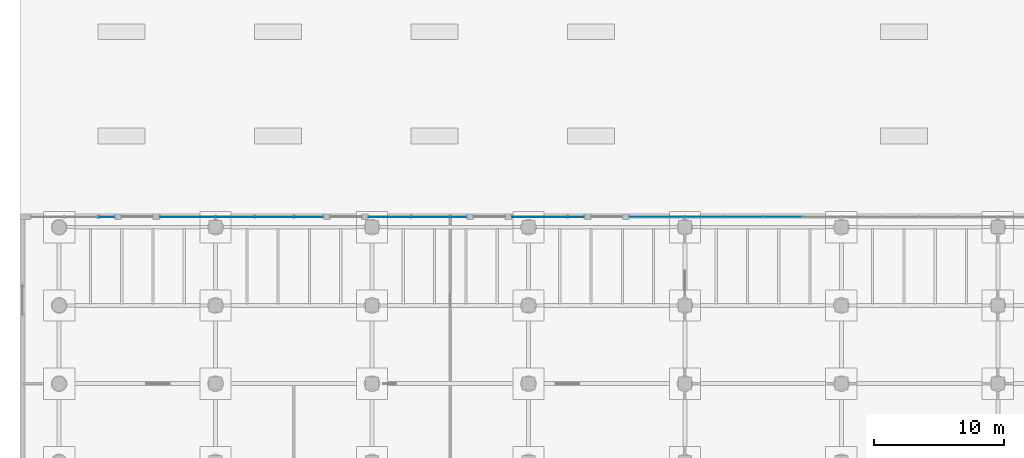
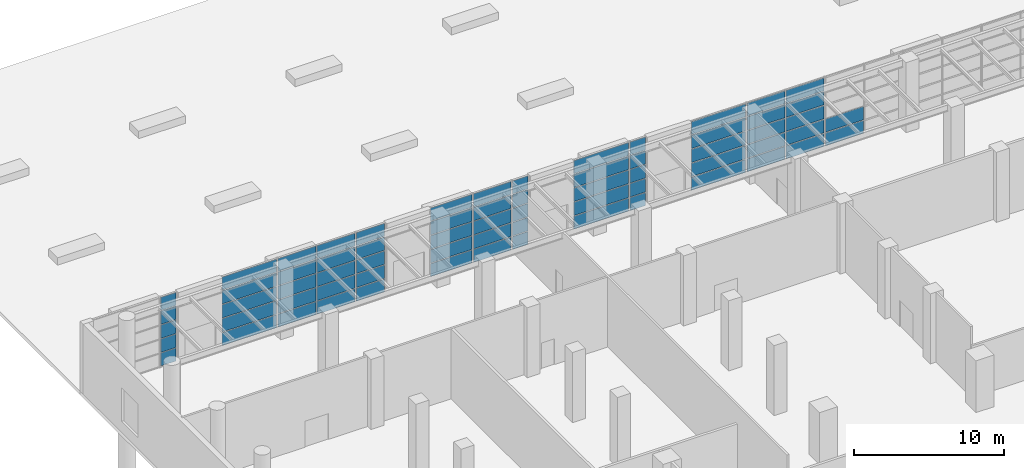
# One storey, part 9 of 27: 67 plates, 12 elements without a shape of their own.
"""IFC4 building model written with IfcOpenShell, lengths in metres."""

from ifc_helpers import new_model, si_unit, direction, frame, origin, origin_2d, place, context, subcontext, project, spatial, rectangle, extrude, material, layer, layer_set, type_object, element, aggregate, save


model = new_model("IFC4")

# Units and contexts
model_context = context("Model", 3, precision=1e-05, world=origin(), true_north=direction((0.0, 1.0)))
body_context = subcontext(model_context, "Body", "Model", "MODEL_VIEW")
ifc_project = project(units=[si_unit("LENGTHUNIT", "METRE"), si_unit("AREAUNIT", "SQUARE_METRE"), si_unit("VOLUMEUNIT", "CUBIC_METRE"), si_unit("PLANEANGLEUNIT", "RADIAN"), si_unit("MASSUNIT", "GRAM", prefix="KILO")], contexts=[model_context])

# Site, building, storey
site_placement = place(None, origin())
site = spatial("IfcSite", under=ifc_project, at=site_placement, CompositionType="ELEMENT")
building_placement = place(site_placement, origin())
building = spatial("IfcBuilding", under=site, at=building_placement, Name="Poui Terraces", CompositionType="ELEMENT")
storey_placement = place(building_placement, origin())
storey = spatial("IfcBuildingStorey", under=building, at=storey_placement, Name="L00", CompositionType="ELEMENT", Elevation=0.0)

# Curtain wall, plates
ifc_material = material(Name="Clear glass", Category="glass")
ifc_layer_1 = layer(ifc_material, 0.199951171875)
ifc_layer_set_1 = layer_set([ifc_layer_1], Name="Clear glass")
curtain_wall_type_1 = type_object("IfcCurtainWallType", Name="CURTAIN WALL CW-A HEALTH CENTRE FRONTAGE", PredefinedType="NOTDEFINED", material=ifc_layer_set_1)
curtain_wall_1_placement = place(storey_placement, origin())
curtain_wall_1 = element("IfcCurtainWall", 1, at=curtain_wall_1_placement, inside=storey, type_object=curtain_wall_type_1, Name="CW-A HEALTH CENTRE FRONTAGE", PredefinedType="NOTDEFINED")
ifc_layer_2 = layer(ifc_material, 0.031982421875)
ifc_layer_set_2 = layer_set([ifc_layer_2], Name="Clear glass")
plate_type_1 = type_object("IfcPlateType", Name="CW-A GLASS PANEL 32", PredefinedType="CURTAIN_PANEL", material=ifc_layer_set_2)
plate_1_placement = place(storey_placement, frame((3.64990234375, 74.800048828125, 0.06005859375), z_axis=(0.0, 0.0, 1.0), x_axis=(-1.0, 0.0, 0.0)))
plate_1 = element("IfcPlate", 2, at=plate_1_placement, type_object=plate_type_1, Name="CW-A panel 1.1", PredefinedType="CURTAIN_PANEL", context=body_context, shape_type="SweptSolid", body=[
    extrude(rectangle(XDim=1.179931640625, YDim=0.031982421875, at=origin_2d()), origin(), (0.0, 0.0, 1.0), 1.0458984375),
])
plate_2_placement = place(storey_placement, frame((3.64990234375, 74.800048828125, 1.166015625), z_axis=(0.0, 0.0, 1.0), x_axis=(-1.0, 0.0, 0.0)))
plate_2 = element("IfcPlate", 3, at=plate_2_placement, type_object=plate_type_1, Name="CW-A panel 1.2", PredefinedType="CURTAIN_PANEL", context=body_context, shape_type="SweptSolid", body=[
    extrude(rectangle(XDim=1.179931640625, YDim=0.031982421875, at=origin_2d()), origin(), (0.0, 0.0, 1.0), 1.075927734375),
])
plate_3_placement = place(storey_placement, frame((3.64990234375, 74.800048828125, 2.30224609375), z_axis=(0.0, 0.0, 1.0), x_axis=(-1.0, 0.0, 0.0)))
plate_3 = element("IfcPlate", 4, at=plate_3_placement, type_object=plate_type_1, Name="CW-A panel 1.3", PredefinedType="CURTAIN_PANEL", context=body_context, shape_type="SweptSolid", body=[
    extrude(rectangle(XDim=1.179931640625, YDim=0.031982421875, at=origin_2d()), origin(), (0.0, 0.0, 1.0), 1.075927734375),
])
plate_4_placement = place(storey_placement, frame((3.64990234375, 74.800048828125, 3.43798828125), z_axis=(0.0, 0.0, 1.0), x_axis=(-1.0, 0.0, 0.0)))
plate_4 = element("IfcPlate", 5, at=plate_4_placement, type_object=plate_type_1, Name="CW-A panel 1.4", PredefinedType="CURTAIN_PANEL", context=body_context, shape_type="SweptSolid", body=[
    extrude(rectangle(XDim=1.179931640625, YDim=0.031982421875, at=origin_2d()), origin(), (0.0, 0.0, 1.0), 1.075927734375),
])
plate_5_placement = place(storey_placement, frame((3.64990234375, 74.800048828125, 4.573974609375), z_axis=(0.0, 0.0, 1.0), x_axis=(-1.0, 0.0, 0.0)))
plate_5 = element("IfcPlate", 6, at=plate_5_placement, type_object=plate_type_1, Name="CW-A panel 1.5", PredefinedType="CURTAIN_PANEL", context=body_context, shape_type="SweptSolid", body=[
    extrude(rectangle(XDim=1.179931640625, YDim=0.031982421875, at=origin_2d()), origin(), (0.0, 0.0, 1.0), 1.0458984375),
])
aggregate(curtain_wall_1, [plate_1, plate_2, plate_3, plate_4, plate_5])

curtain_wall_2_placement = place(storey_placement, origin())
curtain_wall_2 = element("IfcCurtainWall", 7, at=curtain_wall_2_placement, inside=storey, type_object=curtain_wall_type_1, Name="CW-A HEALTH CENTRE FRONTAGE", PredefinedType="NOTDEFINED")
plate_6_placement = place(storey_placement, frame((9.85009765625, 74.800048828125, 0.06005859375), z_axis=(0.0, 0.0, 1.0), x_axis=(-1.0, 0.0, 0.0)))
plate_6 = element("IfcPlate", 8, at=plate_6_placement, type_object=plate_type_1, Name="CW-A panel 1.1", PredefinedType="CURTAIN_PANEL", context=body_context, shape_type="SweptSolid", body=[
    extrude(rectangle(XDim=4.179931640625, YDim=0.031982421875, at=origin_2d()), origin(), (0.0, 0.0, 1.0), 1.0458984375),
])
plate_7_placement = place(storey_placement, frame((9.85009765625, 74.800048828125, 1.166015625), z_axis=(0.0, 0.0, 1.0), x_axis=(-1.0, 0.0, 0.0)))
plate_7 = element("IfcPlate", 9, at=plate_7_placement, type_object=plate_type_1, Name="CW-A panel 1.2", PredefinedType="CURTAIN_PANEL", context=body_context, shape_type="SweptSolid", body=[
    extrude(rectangle(XDim=4.179931640625, YDim=0.031982421875, at=origin_2d()), origin(), (0.0, 0.0, 1.0), 1.075927734375),
])
plate_8_placement = place(storey_placement, frame((9.85009765625, 74.800048828125, 2.30224609375), z_axis=(0.0, 0.0, 1.0), x_axis=(-1.0, 0.0, 0.0)))
plate_8 = element("IfcPlate", 10, at=plate_8_placement, type_object=plate_type_1, Name="CW-A panel 1.3", PredefinedType="CURTAIN_PANEL", context=body_context, shape_type="SweptSolid", body=[
    extrude(rectangle(XDim=4.179931640625, YDim=0.031982421875, at=origin_2d()), origin(), (0.0, 0.0, 1.0), 1.075927734375),
])
plate_9_placement = place(storey_placement, frame((9.85009765625, 74.800048828125, 3.43798828125), z_axis=(0.0, 0.0, 1.0), x_axis=(-1.0, 0.0, 0.0)))
plate_9 = element("IfcPlate", 11, at=plate_9_placement, type_object=plate_type_1, Name="CW-A panel 1.4", PredefinedType="CURTAIN_PANEL", context=body_context, shape_type="SweptSolid", body=[
    extrude(rectangle(XDim=4.179931640625, YDim=0.031982421875, at=origin_2d()), origin(), (0.0, 0.0, 1.0), 1.075927734375),
])
plate_10_placement = place(storey_placement, frame((9.85009765625, 74.800048828125, 4.573974609375), z_axis=(0.0, 0.0, 1.0), x_axis=(-1.0, 0.0, 0.0)))
plate_10 = element("IfcPlate", 12, at=plate_10_placement, type_object=plate_type_1, Name="CW-A panel 1.5", PredefinedType="CURTAIN_PANEL", context=body_context, shape_type="SweptSolid", body=[
    extrude(rectangle(XDim=4.179931640625, YDim=0.031982421875, at=origin_2d()), origin(), (0.0, 0.0, 1.0), 1.0458984375),
])
aggregate(curtain_wall_2, [plate_6, plate_7, plate_8, plate_9, plate_10])

curtain_wall_3_placement = place(storey_placement, origin())
curtain_wall_3 = element("IfcCurtainWall", 13, at=curtain_wall_3_placement, inside=storey, type_object=curtain_wall_type_1, Name="CW-A HEALTH CENTRE FRONTAGE", PredefinedType="NOTDEFINED")
plate_11_placement = place(storey_placement, frame((16.485107421875, 74.800048828125, 0.06005859375), z_axis=(0.0, 0.0, 1.0), x_axis=(-1.0, 0.0, 0.0)))
plate_11 = element("IfcPlate", 14, at=plate_11_placement, type_object=plate_type_1, Name="CW-A panel 1.1", PredefinedType="CURTAIN_PANEL", context=body_context, shape_type="SweptSolid", body=[
    extrude(rectangle(XDim=2.909912109375, YDim=0.031982421875, at=origin_2d()), origin(), (0.0, 0.0, 1.0), 1.0458984375),
])
plate_12_placement = place(storey_placement, frame((16.485107421875, 74.800048828125, 1.166015625), z_axis=(0.0, 0.0, 1.0), x_axis=(-1.0, 0.0, 0.0)))
plate_12 = element("IfcPlate", 15, at=plate_12_placement, type_object=plate_type_1, Name="CW-A panel 1.2", PredefinedType="CURTAIN_PANEL", context=body_context, shape_type="SweptSolid", body=[
    extrude(rectangle(XDim=2.909912109375, YDim=0.031982421875, at=origin_2d()), origin(), (0.0, 0.0, 1.0), 1.075927734375),
])
plate_13_placement = place(storey_placement, frame((16.485107421875, 74.800048828125, 2.30224609375), z_axis=(0.0, 0.0, 1.0), x_axis=(-1.0, 0.0, 0.0)))
plate_13 = element("IfcPlate", 16, at=plate_13_placement, type_object=plate_type_1, Name="CW-A panel 1.3", PredefinedType="CURTAIN_PANEL", context=body_context, shape_type="SweptSolid", body=[
    extrude(rectangle(XDim=2.909912109375, YDim=0.031982421875, at=origin_2d()), origin(), (0.0, 0.0, 1.0), 1.075927734375),
])
plate_14_placement = place(storey_placement, frame((16.485107421875, 74.800048828125, 3.43798828125), z_axis=(0.0, 0.0, 1.0), x_axis=(-1.0, 0.0, 0.0)))
plate_14 = element("IfcPlate", 17, at=plate_14_placement, type_object=plate_type_1, Name="CW-A panel 1.4", PredefinedType="CURTAIN_PANEL", context=body_context, shape_type="SweptSolid", body=[
    extrude(rectangle(XDim=2.909912109375, YDim=0.031982421875, at=origin_2d()), origin(), (0.0, 0.0, 1.0), 1.075927734375),
])
plate_15_placement = place(storey_placement, frame((16.485107421875, 74.800048828125, 4.573974609375), z_axis=(0.0, 0.0, 1.0), x_axis=(-1.0, 0.0, 0.0)))
plate_15 = element("IfcPlate", 18, at=plate_15_placement, type_object=plate_type_1, Name="CW-A panel 1.5", PredefinedType="CURTAIN_PANEL", context=body_context, shape_type="SweptSolid", body=[
    extrude(rectangle(XDim=2.909912109375, YDim=0.031982421875, at=origin_2d()), origin(), (0.0, 0.0, 1.0), 1.0458984375),
])
plate_16_placement = place(storey_placement, frame((13.514892578125, 74.800048828125, 0.06005859375), z_axis=(0.0, 0.0, 1.0), x_axis=(-1.0, 0.0, 0.0)))
plate_16 = element("IfcPlate", 19, at=plate_16_placement, type_object=plate_type_1, Name="CW-A panel 2.1", PredefinedType="CURTAIN_PANEL", context=body_context, shape_type="SweptSolid", body=[
    extrude(rectangle(XDim=2.909912109375, YDim=0.031982421875, at=origin_2d()), origin(), (0.0, 0.0, 1.0), 1.0458984375),
])
plate_17_placement = place(storey_placement, frame((13.514892578125, 74.800048828125, 1.166015625), z_axis=(0.0, 0.0, 1.0), x_axis=(-1.0, 0.0, 0.0)))
plate_17 = element("IfcPlate", 20, at=plate_17_placement, type_object=plate_type_1, Name="CW-A panel 2.2", PredefinedType="CURTAIN_PANEL", context=body_context, shape_type="SweptSolid", body=[
    extrude(rectangle(XDim=2.909912109375, YDim=0.031982421875, at=origin_2d()), origin(), (0.0, 0.0, 1.0), 1.075927734375),
])
plate_18_placement = place(storey_placement, frame((13.514892578125, 74.800048828125, 2.30224609375), z_axis=(0.0, 0.0, 1.0), x_axis=(-1.0, 0.0, 0.0)))
plate_18 = element("IfcPlate", 21, at=plate_18_placement, type_object=plate_type_1, Name="CW-A panel 2.3", PredefinedType="CURTAIN_PANEL", context=body_context, shape_type="SweptSolid", body=[
    extrude(rectangle(XDim=2.909912109375, YDim=0.031982421875, at=origin_2d()), origin(), (0.0, 0.0, 1.0), 1.075927734375),
])
plate_19_placement = place(storey_placement, frame((13.514892578125, 74.800048828125, 3.43798828125), z_axis=(0.0, 0.0, 1.0), x_axis=(-1.0, 0.0, 0.0)))
plate_19 = element("IfcPlate", 22, at=plate_19_placement, type_object=plate_type_1, Name="CW-A panel 2.4", PredefinedType="CURTAIN_PANEL", context=body_context, shape_type="SweptSolid", body=[
    extrude(rectangle(XDim=2.909912109375, YDim=0.031982421875, at=origin_2d()), origin(), (0.0, 0.0, 1.0), 1.075927734375),
])
plate_20_placement = place(storey_placement, frame((13.514892578125, 74.800048828125, 4.573974609375), z_axis=(0.0, 0.0, 1.0), x_axis=(-1.0, 0.0, 0.0)))
plate_20 = element("IfcPlate", 23, at=plate_20_placement, type_object=plate_type_1, Name="CW-A panel 2.5", PredefinedType="CURTAIN_PANEL", context=body_context, shape_type="SweptSolid", body=[
    extrude(rectangle(XDim=2.909912109375, YDim=0.031982421875, at=origin_2d()), origin(), (0.0, 0.0, 1.0), 1.0458984375),
])
aggregate(curtain_wall_3, [plate_11, plate_12, plate_13, plate_14, plate_15, plate_16, plate_17, plate_18, plate_19, plate_20])

curtain_wall_4_placement = place(storey_placement, origin())
curtain_wall_4 = element("IfcCurtainWall", 24, at=curtain_wall_4_placement, inside=storey, type_object=curtain_wall_type_1, Name="CW-A HEALTH CENTRE FRONTAGE", PredefinedType="NOTDEFINED")
plate_21_placement = place(storey_placement, frame((19.14990234375, 74.800048828125, 0.06005859375), z_axis=(0.0, 0.0, 1.0), x_axis=(-1.0, 0.0, 0.0)))
plate_21 = element("IfcPlate", 25, at=plate_21_placement, type_object=plate_type_1, Name="CW-A panel 1.1", PredefinedType="CURTAIN_PANEL", context=body_context, shape_type="SweptSolid", body=[
    extrude(rectangle(XDim=2.179931640625, YDim=0.031982421875, at=origin_2d()), origin(), (0.0, 0.0, 1.0), 1.0458984375),
])
plate_22_placement = place(storey_placement, frame((19.14990234375, 74.800048828125, 1.166015625), z_axis=(0.0, 0.0, 1.0), x_axis=(-1.0, 0.0, 0.0)))
plate_22 = element("IfcPlate", 26, at=plate_22_placement, type_object=plate_type_1, Name="CW-A panel 1.2", PredefinedType="CURTAIN_PANEL", context=body_context, shape_type="SweptSolid", body=[
    extrude(rectangle(XDim=2.179931640625, YDim=0.031982421875, at=origin_2d()), origin(), (0.0, 0.0, 1.0), 1.075927734375),
])
plate_23_placement = place(storey_placement, frame((19.14990234375, 74.800048828125, 2.30224609375), z_axis=(0.0, 0.0, 1.0), x_axis=(-1.0, 0.0, 0.0)))
plate_23 = element("IfcPlate", 27, at=plate_23_placement, type_object=plate_type_1, Name="CW-A panel 1.3", PredefinedType="CURTAIN_PANEL", context=body_context, shape_type="SweptSolid", body=[
    extrude(rectangle(XDim=2.179931640625, YDim=0.031982421875, at=origin_2d()), origin(), (0.0, 0.0, 1.0), 1.075927734375),
])
plate_24_placement = place(storey_placement, frame((19.14990234375, 74.800048828125, 3.43798828125), z_axis=(0.0, 0.0, 1.0), x_axis=(-1.0, 0.0, 0.0)))
plate_24 = element("IfcPlate", 28, at=plate_24_placement, type_object=plate_type_1, Name="CW-A panel 1.4", PredefinedType="CURTAIN_PANEL", context=body_context, shape_type="SweptSolid", body=[
    extrude(rectangle(XDim=2.179931640625, YDim=0.031982421875, at=origin_2d()), origin(), (0.0, 0.0, 1.0), 1.075927734375),
])
plate_25_placement = place(storey_placement, frame((19.14990234375, 74.800048828125, 4.573974609375), z_axis=(0.0, 0.0, 1.0), x_axis=(-1.0, 0.0, 0.0)))
plate_25 = element("IfcPlate", 29, at=plate_25_placement, type_object=plate_type_1, Name="CW-A panel 1.5", PredefinedType="CURTAIN_PANEL", context=body_context, shape_type="SweptSolid", body=[
    extrude(rectangle(XDim=2.179931640625, YDim=0.031982421875, at=origin_2d()), origin(), (0.0, 0.0, 1.0), 1.0458984375),
])
aggregate(curtain_wall_4, [plate_21, plate_22, plate_23, plate_24, plate_25])

curtain_wall_5_placement = place(storey_placement, origin())
curtain_wall_5 = element("IfcCurtainWall", 30, at=curtain_wall_5_placement, inside=storey, type_object=curtain_wall_type_1, Name="CW-A HEALTH CENTRE FRONTAGE", PredefinedType="NOTDEFINED")
plate_26_placement = place(storey_placement, frame((25.35009765625, 74.800048828125, 0.06005859375), z_axis=(0.0, 0.0, 1.0), x_axis=(-1.0, 0.0, 0.0)))
plate_26 = element("IfcPlate", 31, at=plate_26_placement, type_object=plate_type_1, Name="CW-A panel 1.1", PredefinedType="CURTAIN_PANEL", context=body_context, shape_type="SweptSolid", body=[
    extrude(rectangle(XDim=3.179931640625, YDim=0.031982421875, at=origin_2d()), origin(), (0.0, 0.0, 1.0), 1.0458984375),
])
plate_27_placement = place(storey_placement, frame((25.35009765625, 74.800048828125, 1.166015625), z_axis=(0.0, 0.0, 1.0), x_axis=(-1.0, 0.0, 0.0)))
plate_27 = element("IfcPlate", 32, at=plate_27_placement, type_object=plate_type_1, Name="CW-A panel 1.2", PredefinedType="CURTAIN_PANEL", context=body_context, shape_type="SweptSolid", body=[
    extrude(rectangle(XDim=3.179931640625, YDim=0.031982421875, at=origin_2d()), origin(), (0.0, 0.0, 1.0), 1.075927734375),
])
plate_28_placement = place(storey_placement, frame((25.35009765625, 74.800048828125, 2.30224609375), z_axis=(0.0, 0.0, 1.0), x_axis=(-1.0, 0.0, 0.0)))
plate_28 = element("IfcPlate", 33, at=plate_28_placement, type_object=plate_type_1, Name="CW-A panel 1.3", PredefinedType="CURTAIN_PANEL", context=body_context, shape_type="SweptSolid", body=[
    extrude(rectangle(XDim=3.179931640625, YDim=0.031982421875, at=origin_2d()), origin(), (0.0, 0.0, 1.0), 1.075927734375),
])
plate_29_placement = place(storey_placement, frame((25.35009765625, 74.800048828125, 3.43798828125), z_axis=(0.0, 0.0, 1.0), x_axis=(-1.0, 0.0, 0.0)))
plate_29 = element("IfcPlate", 34, at=plate_29_placement, type_object=plate_type_1, Name="CW-A panel 1.4", PredefinedType="CURTAIN_PANEL", context=body_context, shape_type="SweptSolid", body=[
    extrude(rectangle(XDim=3.179931640625, YDim=0.031982421875, at=origin_2d()), origin(), (0.0, 0.0, 1.0), 1.075927734375),
])
plate_30_placement = place(storey_placement, frame((25.35009765625, 74.800048828125, 4.573974609375), z_axis=(0.0, 0.0, 1.0), x_axis=(-1.0, 0.0, 0.0)))
plate_30 = element("IfcPlate", 35, at=plate_30_placement, type_object=plate_type_1, Name="CW-A panel 1.5", PredefinedType="CURTAIN_PANEL", context=body_context, shape_type="SweptSolid", body=[
    extrude(rectangle(XDim=3.179931640625, YDim=0.031982421875, at=origin_2d()), origin(), (0.0, 0.0, 1.0), 1.0458984375),
])
aggregate(curtain_wall_5, [plate_26, plate_27, plate_28, plate_29, plate_30])

curtain_wall_6_placement = place(storey_placement, origin())
curtain_wall_6 = element("IfcCurtainWall", 36, at=curtain_wall_6_placement, inside=storey, type_object=curtain_wall_type_1, Name="CW-A HEALTH CENTRE FRONTAGE", PredefinedType="NOTDEFINED")
plate_31_placement = place(storey_placement, frame((28.5, 74.800048828125, 0.06005859375), z_axis=(0.0, 0.0, 1.0), x_axis=(-1.0, 0.0, 0.0)))
plate_31 = element("IfcPlate", 37, at=plate_31_placement, type_object=plate_type_1, Name="CW-A panel 1.1", PredefinedType="CURTAIN_PANEL", context=body_context, shape_type="SweptSolid", body=[
    extrude(rectangle(XDim=2.8798828125, YDim=0.031982421875, at=origin_2d()), origin(), (0.0, 0.0, 1.0), 1.0458984375),
])
plate_32_placement = place(storey_placement, frame((28.5, 74.800048828125, 1.166015625), z_axis=(0.0, 0.0, 1.0), x_axis=(-1.0, 0.0, 0.0)))
plate_32 = element("IfcPlate", 38, at=plate_32_placement, type_object=plate_type_1, Name="CW-A panel 1.2", PredefinedType="CURTAIN_PANEL", context=body_context, shape_type="SweptSolid", body=[
    extrude(rectangle(XDim=2.8798828125, YDim=0.031982421875, at=origin_2d()), origin(), (0.0, 0.0, 1.0), 1.075927734375),
])
plate_33_placement = place(storey_placement, frame((28.5, 74.800048828125, 2.30224609375), z_axis=(0.0, 0.0, 1.0), x_axis=(-1.0, 0.0, 0.0)))
plate_33 = element("IfcPlate", 39, at=plate_33_placement, type_object=plate_type_1, Name="CW-A panel 1.3", PredefinedType="CURTAIN_PANEL", context=body_context, shape_type="SweptSolid", body=[
    extrude(rectangle(XDim=2.8798828125, YDim=0.031982421875, at=origin_2d()), origin(), (0.0, 0.0, 1.0), 1.075927734375),
])
plate_34_placement = place(storey_placement, frame((28.5, 74.800048828125, 3.43798828125), z_axis=(0.0, 0.0, 1.0), x_axis=(-1.0, 0.0, 0.0)))
plate_34 = element("IfcPlate", 40, at=plate_34_placement, type_object=plate_type_1, Name="CW-A panel 1.4", PredefinedType="CURTAIN_PANEL", context=body_context, shape_type="SweptSolid", body=[
    extrude(rectangle(XDim=2.8798828125, YDim=0.031982421875, at=origin_2d()), origin(), (0.0, 0.0, 1.0), 1.075927734375),
])
plate_35_placement = place(storey_placement, frame((28.5, 74.800048828125, 4.573974609375), z_axis=(0.0, 0.0, 1.0), x_axis=(-1.0, 0.0, 0.0)))
plate_35 = element("IfcPlate", 41, at=plate_35_placement, type_object=plate_type_1, Name="CW-A panel 1.5", PredefinedType="CURTAIN_PANEL", context=body_context, shape_type="SweptSolid", body=[
    extrude(rectangle(XDim=2.8798828125, YDim=0.031982421875, at=origin_2d()), origin(), (0.0, 0.0, 1.0), 1.0458984375),
])
aggregate(curtain_wall_6, [plate_31, plate_32, plate_33, plate_34, plate_35])

curtain_wall_7_placement = place(storey_placement, origin())
curtain_wall_7 = element("IfcCurtainWall", 42, at=curtain_wall_7_placement, inside=storey, type_object=curtain_wall_type_1, Name="CW-A HEALTH CENTRE FRONTAGE", PredefinedType="NOTDEFINED")
plate_36_placement = place(storey_placement, frame((30.64990234375, 74.800048828125, 0.06005859375), z_axis=(0.0, 0.0, 1.0), x_axis=(-1.0, 0.0, 0.0)))
plate_36 = element("IfcPlate", 43, at=plate_36_placement, type_object=plate_type_1, Name="CW-A panel 1.1", PredefinedType="CURTAIN_PANEL", context=body_context, shape_type="SweptSolid", body=[
    extrude(rectangle(XDim=1.179931640625, YDim=0.031982421875, at=origin_2d()), origin(), (0.0, 0.0, 1.0), 1.0458984375),
])
plate_37_placement = place(storey_placement, frame((30.64990234375, 74.800048828125, 1.166015625), z_axis=(0.0, 0.0, 1.0), x_axis=(-1.0, 0.0, 0.0)))
plate_37 = element("IfcPlate", 44, at=plate_37_placement, type_object=plate_type_1, Name="CW-A panel 1.2", PredefinedType="CURTAIN_PANEL", context=body_context, shape_type="SweptSolid", body=[
    extrude(rectangle(XDim=1.179931640625, YDim=0.031982421875, at=origin_2d()), origin(), (0.0, 0.0, 1.0), 1.075927734375),
])
plate_38_placement = place(storey_placement, frame((30.64990234375, 74.800048828125, 2.30224609375), z_axis=(0.0, 0.0, 1.0), x_axis=(-1.0, 0.0, 0.0)))
plate_38 = element("IfcPlate", 45, at=plate_38_placement, type_object=plate_type_1, Name="CW-A panel 1.3", PredefinedType="CURTAIN_PANEL", context=body_context, shape_type="SweptSolid", body=[
    extrude(rectangle(XDim=1.179931640625, YDim=0.031982421875, at=origin_2d()), origin(), (0.0, 0.0, 1.0), 1.075927734375),
])
plate_39_placement = place(storey_placement, frame((30.64990234375, 74.800048828125, 3.43798828125), z_axis=(0.0, 0.0, 1.0), x_axis=(-1.0, 0.0, 0.0)))
plate_39 = element("IfcPlate", 46, at=plate_39_placement, type_object=plate_type_1, Name="CW-A panel 1.4", PredefinedType="CURTAIN_PANEL", context=body_context, shape_type="SweptSolid", body=[
    extrude(rectangle(XDim=1.179931640625, YDim=0.031982421875, at=origin_2d()), origin(), (0.0, 0.0, 1.0), 1.075927734375),
])
plate_40_placement = place(storey_placement, frame((30.64990234375, 74.800048828125, 4.573974609375), z_axis=(0.0, 0.0, 1.0), x_axis=(-1.0, 0.0, 0.0)))
plate_40 = element("IfcPlate", 47, at=plate_40_placement, type_object=plate_type_1, Name="CW-A panel 1.5", PredefinedType="CURTAIN_PANEL", context=body_context, shape_type="SweptSolid", body=[
    extrude(rectangle(XDim=1.179931640625, YDim=0.031982421875, at=origin_2d()), origin(), (0.0, 0.0, 1.0), 1.0458984375),
])
aggregate(curtain_wall_7, [plate_36, plate_37, plate_38, plate_39, plate_40])

curtain_wall_8_placement = place(storey_placement, origin())
curtain_wall_8 = element("IfcCurtainWall", 48, at=curtain_wall_8_placement, inside=storey, type_object=curtain_wall_type_1, Name="CW-A HEALTH CENTRE FRONTAGE", PredefinedType="NOTDEFINED")
plate_41_placement = place(storey_placement, frame((36.85009765625, 74.800048828125, 0.06005859375), z_axis=(0.0, 0.0, 1.0), x_axis=(-1.0, 0.0, 0.0)))
plate_41 = element("IfcPlate", 49, at=plate_41_placement, type_object=plate_type_1, Name="CW-A panel 1.1", PredefinedType="CURTAIN_PANEL", context=body_context, shape_type="SweptSolid", body=[
    extrude(rectangle(XDim=4.179931640625, YDim=0.031982421875, at=origin_2d()), origin(), (0.0, 0.0, 1.0), 1.0458984375),
])
plate_42_placement = place(storey_placement, frame((36.85009765625, 74.800048828125, 1.166015625), z_axis=(0.0, 0.0, 1.0), x_axis=(-1.0, 0.0, 0.0)))
plate_42 = element("IfcPlate", 50, at=plate_42_placement, type_object=plate_type_1, Name="CW-A panel 1.2", PredefinedType="CURTAIN_PANEL", context=body_context, shape_type="SweptSolid", body=[
    extrude(rectangle(XDim=4.179931640625, YDim=0.031982421875, at=origin_2d()), origin(), (0.0, 0.0, 1.0), 1.075927734375),
])
plate_43_placement = place(storey_placement, frame((36.85009765625, 74.800048828125, 2.30224609375), z_axis=(0.0, 0.0, 1.0), x_axis=(-1.0, 0.0, 0.0)))
plate_43 = element("IfcPlate", 51, at=plate_43_placement, type_object=plate_type_1, Name="CW-A panel 1.3", PredefinedType="CURTAIN_PANEL", context=body_context, shape_type="SweptSolid", body=[
    extrude(rectangle(XDim=4.179931640625, YDim=0.031982421875, at=origin_2d()), origin(), (0.0, 0.0, 1.0), 1.075927734375),
])
plate_44_placement = place(storey_placement, frame((36.85009765625, 74.800048828125, 3.43798828125), z_axis=(0.0, 0.0, 1.0), x_axis=(-1.0, 0.0, 0.0)))
plate_44 = element("IfcPlate", 52, at=plate_44_placement, type_object=plate_type_1, Name="CW-A panel 1.4", PredefinedType="CURTAIN_PANEL", context=body_context, shape_type="SweptSolid", body=[
    extrude(rectangle(XDim=4.179931640625, YDim=0.031982421875, at=origin_2d()), origin(), (0.0, 0.0, 1.0), 1.075927734375),
])
plate_45_placement = place(storey_placement, frame((36.85009765625, 74.800048828125, 4.573974609375), z_axis=(0.0, 0.0, 1.0), x_axis=(-1.0, 0.0, 0.0)))
plate_45 = element("IfcPlate", 53, at=plate_45_placement, type_object=plate_type_1, Name="CW-A panel 1.5", PredefinedType="CURTAIN_PANEL", context=body_context, shape_type="SweptSolid", body=[
    extrude(rectangle(XDim=4.179931640625, YDim=0.031982421875, at=origin_2d()), origin(), (0.0, 0.0, 1.0), 1.0458984375),
])
aggregate(curtain_wall_8, [plate_41, plate_42, plate_43, plate_44, plate_45])

curtain_wall_9_placement = place(storey_placement, origin())
curtain_wall_9 = element("IfcCurtainWall", 54, at=curtain_wall_9_placement, inside=storey, type_object=curtain_wall_type_1, Name="CW-A HEALTH CENTRE FRONTAGE", PredefinedType="NOTDEFINED")
plate_46_placement = place(storey_placement, frame((39.64990234375, 74.800048828125, 0.06005859375), z_axis=(0.0, 0.0, 1.0), x_axis=(-1.0, 0.0, 0.0)))
plate_46 = element("IfcPlate", 55, at=plate_46_placement, type_object=plate_type_1, Name="CW-A panel 1.1", PredefinedType="CURTAIN_PANEL", context=body_context, shape_type="SweptSolid", body=[
    extrude(rectangle(XDim=1.179931640625, YDim=0.031982421875, at=origin_2d()), origin(), (0.0, 0.0, 1.0), 1.0458984375),
])
plate_47_placement = place(storey_placement, frame((39.64990234375, 74.800048828125, 1.166015625), z_axis=(0.0, 0.0, 1.0), x_axis=(-1.0, 0.0, 0.0)))
plate_47 = element("IfcPlate", 56, at=plate_47_placement, type_object=plate_type_1, Name="CW-A panel 1.2", PredefinedType="CURTAIN_PANEL", context=body_context, shape_type="SweptSolid", body=[
    extrude(rectangle(XDim=1.179931640625, YDim=0.031982421875, at=origin_2d()), origin(), (0.0, 0.0, 1.0), 1.075927734375),
])
plate_48_placement = place(storey_placement, frame((39.64990234375, 74.800048828125, 2.30224609375), z_axis=(0.0, 0.0, 1.0), x_axis=(-1.0, 0.0, 0.0)))
plate_48 = element("IfcPlate", 57, at=plate_48_placement, type_object=plate_type_1, Name="CW-A panel 1.3", PredefinedType="CURTAIN_PANEL", context=body_context, shape_type="SweptSolid", body=[
    extrude(rectangle(XDim=1.179931640625, YDim=0.031982421875, at=origin_2d()), origin(), (0.0, 0.0, 1.0), 1.075927734375),
])
plate_49_placement = place(storey_placement, frame((39.64990234375, 74.800048828125, 3.43798828125), z_axis=(0.0, 0.0, 1.0), x_axis=(-1.0, 0.0, 0.0)))
plate_49 = element("IfcPlate", 58, at=plate_49_placement, type_object=plate_type_1, Name="CW-A panel 1.4", PredefinedType="CURTAIN_PANEL", context=body_context, shape_type="SweptSolid", body=[
    extrude(rectangle(XDim=1.179931640625, YDim=0.031982421875, at=origin_2d()), origin(), (0.0, 0.0, 1.0), 1.075927734375),
])
plate_50_placement = place(storey_placement, frame((39.64990234375, 74.800048828125, 4.573974609375), z_axis=(0.0, 0.0, 1.0), x_axis=(-1.0, 0.0, 0.0)))
plate_50 = element("IfcPlate", 59, at=plate_50_placement, type_object=plate_type_1, Name="CW-A panel 1.5", PredefinedType="CURTAIN_PANEL", context=body_context, shape_type="SweptSolid", body=[
    extrude(rectangle(XDim=1.179931640625, YDim=0.031982421875, at=origin_2d()), origin(), (0.0, 0.0, 1.0), 1.0458984375),
])
aggregate(curtain_wall_9, [plate_46, plate_47, plate_48, plate_49, plate_50])

ifc_layer_3 = layer(ifc_material, 0.179931640625)
ifc_layer_set_3 = layer_set([ifc_layer_3], Name="Clear glass")
curtain_wall_type_2 = type_object("IfcCurtainWallType", Name="CURTAIN WALL CW-B RESIDENT LOBBY GLAZING", PredefinedType="NOTDEFINED", material=ifc_layer_set_3)
curtain_wall_10_placement = place(storey_placement, origin())
curtain_wall_10 = element("IfcCurtainWall", 60, at=curtain_wall_10_placement, inside=storey, type_object=curtain_wall_type_2, Name="CW-B RESIDENT LOBBY GLAZING", PredefinedType="NOTDEFINED")
ifc_layer_4 = layer(ifc_material, 0.028076171875)
ifc_layer_set_4 = layer_set([ifc_layer_4], Name="Clear glass")
plate_type_2 = type_object("IfcPlateType", Name="CW-B GLASS PANEL 28", PredefinedType="CURTAIN_PANEL", material=ifc_layer_set_4)
plate_51_placement = place(storey_placement, frame((45.85009765625, 74.800048828125, 0.06005859375), z_axis=(0.0, 0.0, 1.0), x_axis=(-1.0, 0.0, 0.0)))
plate_51 = element("IfcPlate", 61, at=plate_51_placement, type_object=plate_type_2, Name="CW-B panel 1.1", PredefinedType="CURTAIN_PANEL", context=body_context, shape_type="SweptSolid", body=[
    extrude(rectangle(XDim=4.179931640625, YDim=0.028076171875, at=origin_2d()), origin(), (0.0, 0.0, 1.0), 1.0458984375),
])
plate_52_placement = place(storey_placement, frame((45.85009765625, 74.800048828125, 1.166015625), z_axis=(0.0, 0.0, 1.0), x_axis=(-1.0, 0.0, 0.0)))
plate_52 = element("IfcPlate", 62, at=plate_52_placement, type_object=plate_type_2, Name="CW-B panel 1.2", PredefinedType="CURTAIN_PANEL", context=body_context, shape_type="SweptSolid", body=[
    extrude(rectangle(XDim=4.179931640625, YDim=0.028076171875, at=origin_2d()), origin(), (0.0, 0.0, 1.0), 1.075927734375),
])
plate_53_placement = place(storey_placement, frame((45.85009765625, 74.800048828125, 2.30224609375), z_axis=(0.0, 0.0, 1.0), x_axis=(-1.0, 0.0, 0.0)))
plate_53 = element("IfcPlate", 63, at=plate_53_placement, type_object=plate_type_2, Name="CW-B panel 1.3", PredefinedType="CURTAIN_PANEL", context=body_context, shape_type="SweptSolid", body=[
    extrude(rectangle(XDim=4.179931640625, YDim=0.028076171875, at=origin_2d()), origin(), (0.0, 0.0, 1.0), 1.075927734375),
])
plate_54_placement = place(storey_placement, frame((45.85009765625, 74.800048828125, 3.43798828125), z_axis=(0.0, 0.0, 1.0), x_axis=(-1.0, 0.0, 0.0)))
plate_54 = element("IfcPlate", 64, at=plate_54_placement, type_object=plate_type_2, Name="CW-B panel 1.4", PredefinedType="CURTAIN_PANEL", context=body_context, shape_type="SweptSolid", body=[
    extrude(rectangle(XDim=4.179931640625, YDim=0.028076171875, at=origin_2d()), origin(), (0.0, 0.0, 1.0), 1.075927734375),
])
plate_55_placement = place(storey_placement, frame((45.85009765625, 74.800048828125, 4.573974609375), z_axis=(0.0, 0.0, 1.0), x_axis=(-1.0, 0.0, 0.0)))
plate_55 = element("IfcPlate", 65, at=plate_55_placement, type_object=plate_type_2, Name="CW-B panel 1.5", PredefinedType="CURTAIN_PANEL", context=body_context, shape_type="SweptSolid", body=[
    extrude(rectangle(XDim=4.179931640625, YDim=0.028076171875, at=origin_2d()), origin(), (0.0, 0.0, 1.0), 1.0458984375),
])
aggregate(curtain_wall_10, [plate_51, plate_52, plate_53, plate_54, plate_55])

curtain_wall_11_placement = place(storey_placement, origin())
curtain_wall_11 = element("IfcCurtainWall", 66, at=curtain_wall_11_placement, inside=storey, type_object=curtain_wall_type_2, Name="CW-B RESIDENT LOBBY GLAZING", PredefinedType="NOTDEFINED")
plate_56_placement = place(storey_placement, frame((52.485107421875, 74.800048828125, 0.06005859375), z_axis=(0.0, 0.0, 1.0), x_axis=(-1.0, 0.0, 0.0)))
plate_56 = element("IfcPlate", 67, at=plate_56_placement, type_object=plate_type_2, Name="CW-B panel 1.1", PredefinedType="CURTAIN_PANEL", context=body_context, shape_type="SweptSolid", body=[
    extrude(rectangle(XDim=2.909912109375, YDim=0.028076171875, at=origin_2d()), origin(), (0.0, 0.0, 1.0), 1.0458984375),
])
plate_57_placement = place(storey_placement, frame((52.485107421875, 74.800048828125, 1.166015625), z_axis=(0.0, 0.0, 1.0), x_axis=(-1.0, 0.0, 0.0)))
plate_57 = element("IfcPlate", 68, at=plate_57_placement, type_object=plate_type_2, Name="CW-B panel 1.2", PredefinedType="CURTAIN_PANEL", context=body_context, shape_type="SweptSolid", body=[
    extrude(rectangle(XDim=2.909912109375, YDim=0.028076171875, at=origin_2d()), origin(), (0.0, 0.0, 1.0), 1.075927734375),
])
plate_58_placement = place(storey_placement, frame((52.485107421875, 74.800048828125, 2.30224609375), z_axis=(0.0, 0.0, 1.0), x_axis=(-1.0, 0.0, 0.0)))
plate_58 = element("IfcPlate", 69, at=plate_58_placement, type_object=plate_type_2, Name="CW-B panel 1.3", PredefinedType="CURTAIN_PANEL", context=body_context, shape_type="SweptSolid", body=[
    extrude(rectangle(XDim=2.909912109375, YDim=0.028076171875, at=origin_2d()), origin(), (0.0, 0.0, 1.0), 1.075927734375),
])
plate_59_placement = place(storey_placement, frame((52.485107421875, 74.800048828125, 3.43798828125), z_axis=(0.0, 0.0, 1.0), x_axis=(-1.0, 0.0, 0.0)))
plate_59 = element("IfcPlate", 70, at=plate_59_placement, type_object=plate_type_2, Name="CW-B panel 1.4", PredefinedType="CURTAIN_PANEL", context=body_context, shape_type="SweptSolid", body=[
    extrude(rectangle(XDim=2.909912109375, YDim=0.028076171875, at=origin_2d()), origin(), (0.0, 0.0, 1.0), 1.075927734375),
])
plate_60_placement = place(storey_placement, frame((52.485107421875, 74.800048828125, 4.573974609375), z_axis=(0.0, 0.0, 1.0), x_axis=(-1.0, 0.0, 0.0)))
plate_60 = element("IfcPlate", 71, at=plate_60_placement, type_object=plate_type_2, Name="CW-B panel 1.5", PredefinedType="CURTAIN_PANEL", context=body_context, shape_type="SweptSolid", body=[
    extrude(rectangle(XDim=2.909912109375, YDim=0.028076171875, at=origin_2d()), origin(), (0.0, 0.0, 1.0), 1.0458984375),
])
plate_61_placement = place(storey_placement, frame((49.514892578125, 74.800048828125, 0.06005859375), z_axis=(0.0, 0.0, 1.0), x_axis=(-1.0, 0.0, 0.0)))
plate_61 = element("IfcPlate", 72, at=plate_61_placement, type_object=plate_type_2, Name="CW-B panel 2.1", PredefinedType="CURTAIN_PANEL", context=body_context, shape_type="SweptSolid", body=[
    extrude(rectangle(XDim=2.909912109375, YDim=0.028076171875, at=origin_2d()), origin(), (0.0, 0.0, 1.0), 1.0458984375),
])
plate_62_placement = place(storey_placement, frame((49.514892578125, 74.800048828125, 1.166015625), z_axis=(0.0, 0.0, 1.0), x_axis=(-1.0, 0.0, 0.0)))
plate_62 = element("IfcPlate", 73, at=plate_62_placement, type_object=plate_type_2, Name="CW-B panel 2.2", PredefinedType="CURTAIN_PANEL", context=body_context, shape_type="SweptSolid", body=[
    extrude(rectangle(XDim=2.909912109375, YDim=0.028076171875, at=origin_2d()), origin(), (0.0, 0.0, 1.0), 1.075927734375),
])
plate_63_placement = place(storey_placement, frame((49.514892578125, 74.800048828125, 2.30224609375), z_axis=(0.0, 0.0, 1.0), x_axis=(-1.0, 0.0, 0.0)))
plate_63 = element("IfcPlate", 74, at=plate_63_placement, type_object=plate_type_2, Name="CW-B panel 2.3", PredefinedType="CURTAIN_PANEL", context=body_context, shape_type="SweptSolid", body=[
    extrude(rectangle(XDim=2.909912109375, YDim=0.028076171875, at=origin_2d()), origin(), (0.0, 0.0, 1.0), 1.075927734375),
])
plate_64_placement = place(storey_placement, frame((49.514892578125, 74.800048828125, 3.43798828125), z_axis=(0.0, 0.0, 1.0), x_axis=(-1.0, 0.0, 0.0)))
plate_64 = element("IfcPlate", 75, at=plate_64_placement, type_object=plate_type_2, Name="CW-B panel 2.4", PredefinedType="CURTAIN_PANEL", context=body_context, shape_type="SweptSolid", body=[
    extrude(rectangle(XDim=2.909912109375, YDim=0.028076171875, at=origin_2d()), origin(), (0.0, 0.0, 1.0), 1.075927734375),
])
plate_65_placement = place(storey_placement, frame((49.514892578125, 74.800048828125, 4.573974609375), z_axis=(0.0, 0.0, 1.0), x_axis=(-1.0, 0.0, 0.0)))
plate_65 = element("IfcPlate", 76, at=plate_65_placement, type_object=plate_type_2, Name="CW-B panel 2.5", PredefinedType="CURTAIN_PANEL", context=body_context, shape_type="SweptSolid", body=[
    extrude(rectangle(XDim=2.909912109375, YDim=0.028076171875, at=origin_2d()), origin(), (0.0, 0.0, 1.0), 1.0458984375),
])
aggregate(curtain_wall_11, [plate_56, plate_57, plate_58, plate_59, plate_60, plate_61, plate_62, plate_63, plate_64, plate_65])

curtain_wall_12_placement = place(storey_placement, origin())
curtain_wall_12 = element("IfcCurtainWall", 77, at=curtain_wall_12_placement, inside=storey, type_object=curtain_wall_type_2, Name="CW-B RESIDENT LOBBY GLAZING", PredefinedType="NOTDEFINED")
plate_66_placement = place(storey_placement, frame((55.514892578125, 74.800048828125, 0.06005859375), z_axis=(0.0, 0.0, 1.0), x_axis=(-1.0, 0.0, 0.0)))
plate_66 = element("IfcPlate", 78, at=plate_66_placement, type_object=plate_type_2, Name="CW-B panel 2.1", PredefinedType="CURTAIN_PANEL", context=body_context, shape_type="SweptSolid", body=[
    extrude(rectangle(XDim=2.909912109375, YDim=0.028076171875, at=origin_2d()), origin(), (0.0, 0.0, 1.0), 1.0458984375),
])
plate_67_placement = place(storey_placement, frame((55.514892578125, 74.800048828125, 1.166015625), z_axis=(0.0, 0.0, 1.0), x_axis=(-1.0, 0.0, 0.0)))
plate_67 = element("IfcPlate", 79, at=plate_67_placement, type_object=plate_type_2, Name="CW-B panel 2.2", PredefinedType="CURTAIN_PANEL", context=body_context, shape_type="SweptSolid", body=[
    extrude(rectangle(XDim=2.909912109375, YDim=0.028076171875, at=origin_2d()), origin(), (0.0, 0.0, 1.0), 1.075927734375),
])
aggregate(curtain_wall_12, [plate_66, plate_67])

save(model, "model.ifc")
